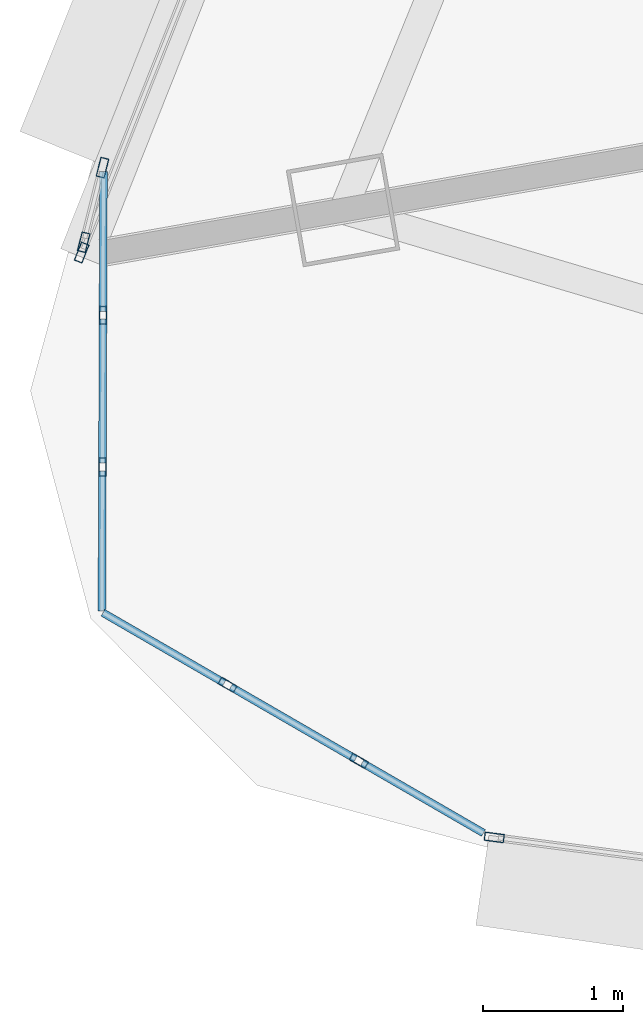
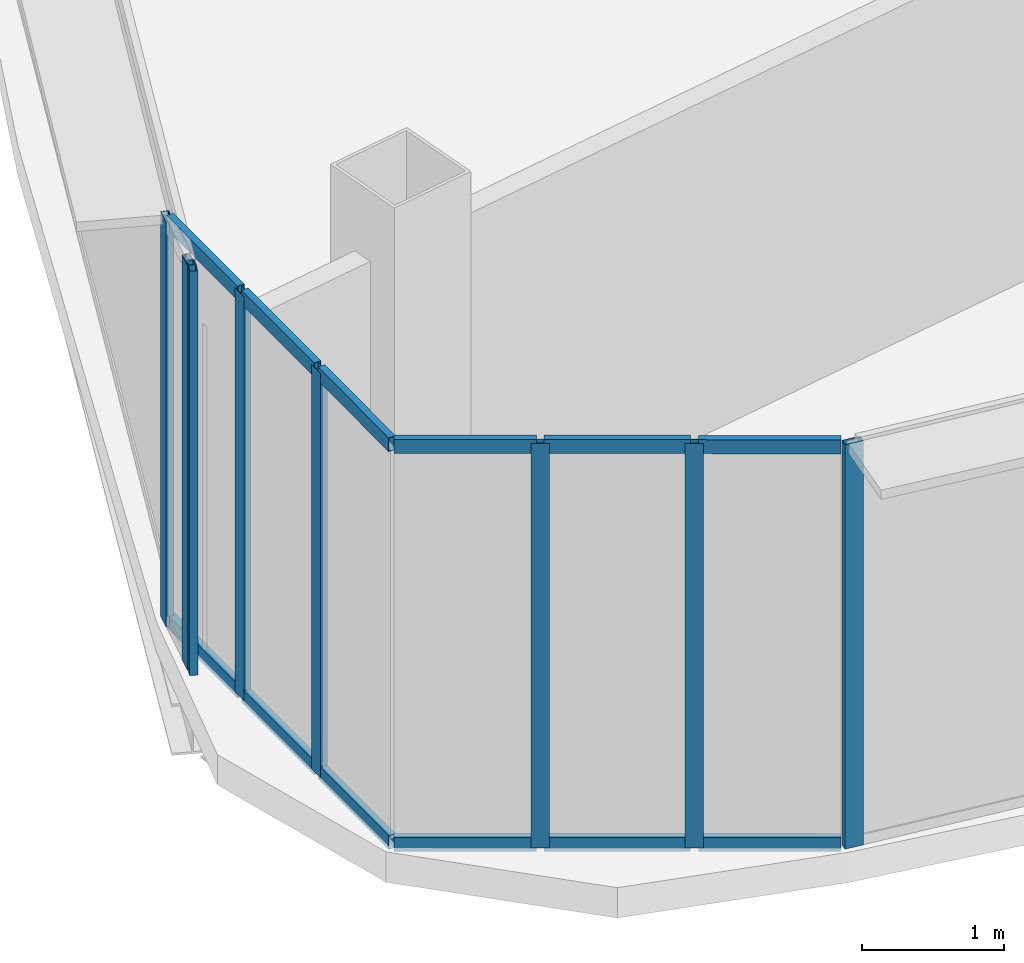
# One storey, part 2 of 29: 20 members, 5 elements without a shape of their own.
"""IFC4 building model written with IfcOpenShell, lengths in metres."""

import ifcopenshell
import ifcopenshell.guid

model = None  # the IFC model being written
_history = None  # IfcOwnerHistory: only IFC2X3 demands one
_inside = {}  # id of a spatial element -> (the spatial element, [elements in it])
_under = {}  # id of a project, library or spatial element -> (it, [spatial elements below it])
_declared = {}  # id of a project -> (the project, [libraries it declares])
_typed = {}  # id of a type object -> (the type object, [elements of that type])
_made_of = {}  # id of a material, layer set ... -> (it, [elements and type objects made of it])


def new_model(schema):
    """Start an empty IFC model of exactly this schema.

    Asked for "IFC4X3", IfcOpenShell would pick the latest addendum, in which some entities
    have other attributes; the version numbers below select the first issue.
    IFC2X3 requires an IfcOwnerHistory on every rooted entity: one is made here for all.
    """
    global model, _history
    if schema == "IFC4X3":
        model = ifcopenshell.file(schema_version=(4, 3, 0, 0))
    else:
        model = ifcopenshell.file(schema=schema)
    _inside.clear()
    _under.clear()
    _declared.clear()
    _typed.clear()
    _made_of.clear()
    _history = None
    if model.schema == "IFC2X3":
        org = make("IfcOrganization", Name="unknown")
        user = make(
            "IfcPersonAndOrganization",
            ThePerson=make("IfcPerson", FamilyName="unknown"),
            TheOrganization=org,
        )
        app = make(
            "IfcApplication",
            ApplicationDeveloper=org,
            Version="unknown",
            ApplicationFullName="unknown",
            ApplicationIdentifier="unknown",
        )
        _history = make(
            "IfcOwnerHistory",
            OwningUser=user,
            OwningApplication=app,
            ChangeAction="ADDED",
            CreationDate=0,
        )
    return model


def make(cls, **values):
    """One entity of the class cls with the attributes given. An attribute that is None is left unset."""
    return model.create_entity(
        cls, **{name: value for name, value in values.items() if value is not None}
    )


def rooted(cls, **values):
    """An entity with a GlobalId (a new one), such as an element, a storey or a relation."""
    return make(cls, GlobalId=ifcopenshell.guid.new(), OwnerHistory=_history, **values)


def si_unit(unit_type, name, prefix=None):
    """IfcSIUnit, for example si_unit("LENGTHUNIT", "METRE", prefix="MILLI")."""
    return make("IfcSIUnit", UnitType=unit_type, Prefix=prefix, Name=name)


def assignment(units):
    """IfcUnitAssignment: the units of a project."""
    return None if units is None else make("IfcUnitAssignment", Units=units)


def point(xyz):
    """IfcCartesianPoint."""
    return None if xyz is None else make("IfcCartesianPoint", Coordinates=xyz)


def direction(xyz):
    """IfcDirection."""
    return None if xyz is None else make("IfcDirection", DirectionRatios=xyz)


def frame(location, z_axis=None, x_axis=None):
    """IfcAxis2Placement3D, a coordinate frame: its origin and axes. An axis left out is left unset."""
    return make(
        "IfcAxis2Placement3D",
        Location=point(location),
        Axis=direction(z_axis),
        RefDirection=direction(x_axis),
    )


def frame_2d(location, x_axis=None):
    """IfcAxis2Placement2D, a coordinate frame in the plane: its origin and x axis."""
    return make(
        "IfcAxis2Placement2D", Location=point(location), RefDirection=direction(x_axis)
    )


def origin():
    """The frame at (0, 0, 0) with its axes left unset."""
    return frame((0.0, 0.0, 0.0))


def origin_2d():
    """The frame at (0, 0) in the plane with its x axis left unset."""
    return frame_2d((0.0, 0.0))


def place(relative_to, where):
    """IfcLocalPlacement: puts the frame where relative to a parent placement (None: the world)."""
    return make(
        "IfcLocalPlacement", PlacementRelTo=relative_to, RelativePlacement=where
    )


def context(
    kind, dimensions, precision=None, world=None, true_north=None, identifier=None
):
    """IfcGeometricRepresentationContext, for example the 3D "Model" context."""
    return make(
        "IfcGeometricRepresentationContext",
        ContextIdentifier=identifier,
        ContextType=kind,
        CoordinateSpaceDimension=dimensions,
        Precision=precision,
        WorldCoordinateSystem=world,
        TrueNorth=true_north,
    )


def subcontext(parent, identifier, kind, view, scale=None):
    """IfcGeometricRepresentationSubContext, for example "Body" below "Model"."""
    return make(
        "IfcGeometricRepresentationSubContext",
        ContextIdentifier=identifier,
        ContextType=kind,
        ParentContext=parent,
        TargetScale=scale,
        TargetView=view,
    )


def project(units=None, contexts=None):
    """IfcProject with its units and contexts."""
    return rooted(
        "IfcProject",
        Name="project",
        RepresentationContexts=contexts,
        UnitsInContext=assignment(units),
    )


def spatial(cls, under=None, at=None, **own):
    """A site, building, storey or space (cls), placed at a placement, below another one or the project."""
    s = rooted(cls, ObjectPlacement=at, **own)
    if under is not None:
        _under.setdefault(under.id(), (under, []))[1].append(s)
    return s


def profile(cls, at=None, kind="AREA", **sizes):
    """A parametric profile (cls). Its sizes go by their IFC names, for example OverallWidth=200.0."""
    return make(cls, ProfileType=kind, Position=at, **sizes)


def hollow_rectangle(**sizes):
    """IfcRectangleHollowProfileDef."""
    return profile("IfcRectangleHollowProfileDef", **sizes)


def extrude(swept, where, along, depth):
    """IfcExtrudedAreaSolid: the profile swept, set in the frame where, extruded along a direction by depth."""
    return make(
        "IfcExtrudedAreaSolid",
        SweptArea=swept,
        Position=where,
        ExtrudedDirection=direction(along),
        Depth=depth,
    )


def shape(context_of_items, identifier, shape_type, items):
    """IfcShapeRepresentation: the items that make up one representation, for example the "Body"."""
    return make(
        "IfcShapeRepresentation",
        ContextOfItems=context_of_items,
        RepresentationIdentifier=identifier,
        RepresentationType=shape_type,
        Items=items,
    )


def source(mapping_origin, context_of_items, identifier, shape_type, items):
    """IfcRepresentationMap: a shape defined once, which mapped items show again and again."""
    return make(
        "IfcRepresentationMap",
        MappingOrigin=mapping_origin,
        MappedRepresentation=shape(context_of_items, identifier, shape_type, items),
    )


def transform(
    local_origin,
    x_axis=None,
    y_axis=None,
    z_axis=None,
    scale=None,
    scale2=None,
    scale3=None,
    uniform=True,
):
    """IfcCartesianTransformationOperator3D, or its non-uniform kind. x_axis, y_axis, z_axis: its Axis1, 2, 3."""
    if uniform:
        return make(
            "IfcCartesianTransformationOperator3D",
            Axis1=direction(x_axis),
            Axis2=direction(y_axis),
            LocalOrigin=point(local_origin),
            Scale=scale,
            Axis3=direction(z_axis),
        )
    return make(
        "IfcCartesianTransformationOperator3DnonUniform",
        Axis1=direction(x_axis),
        Axis2=direction(y_axis),
        LocalOrigin=point(local_origin),
        Scale=scale,
        Axis3=direction(z_axis),
        Scale2=scale2,
        Scale3=scale3,
    )


def mapped(mapping_source, mapping_target):
    """IfcMappedItem: shows the shape of a source again, moved by a transform."""
    return make(
        "IfcMappedItem", MappingSource=mapping_source, MappingTarget=mapping_target
    )


def material(Name=None, Category=None):
    """IfcMaterial."""
    return make("IfcMaterial", Name=Name, Category=Category)


def layer(
    of_material, thickness, ventilated=None, Name=None, Category=None, Priority=None
):
    """IfcMaterialLayer: one layer of a wall or slab, of a material (None: an air gap)."""
    return make(
        "IfcMaterialLayer",
        Material=of_material,
        LayerThickness=thickness,
        IsVentilated=ventilated,
        Name=Name,
        Category=Category,
        Priority=Priority,
    )


def layer_set(layers, Name=None):
    """IfcMaterialLayerSet."""
    return make("IfcMaterialLayerSet", MaterialLayers=layers, LayerSetName=Name)


def material_profile(
    of_material, cross_section, Name=None, Category=None, Priority=None
):
    """IfcMaterialProfile: a cross section and its material."""
    return make(
        "IfcMaterialProfile",
        Name=Name,
        Material=of_material,
        Profile=cross_section,
        Priority=Priority,
        Category=Category,
    )


def profile_set(profiles, Name=None, composite=None):
    """IfcMaterialProfileSet."""
    return make(
        "IfcMaterialProfileSet",
        Name=Name,
        MaterialProfiles=profiles,
        CompositeProfile=composite,
    )


def made_of(thing, what):
    """Note that an element or type object is made of a material, layer set ...; save() writes the relation."""
    if what is not None:
        _made_of.setdefault(what.id(), (what, []))[1].append(thing)
    return thing


def type_object(cls, material=None, **own):
    """A type object (cls), such as IfcWallType, which elements share."""
    return made_of(rooted(cls, **own), material)


def element(
    cls,
    number,
    at=None,
    inside=None,
    cuts=None,
    type_object=None,
    material=None,
    context=None,
    identifier="Body",
    shape_type=None,
    held_by="IfcProductDefinitionShape",
    body=None,
    shapes=None,
    **own,
):
    """One element of the class cls, such as IfcWall. Its Tag is "e" and its number.

    at: its placement. inside: the storey or other place that contains it. cuts: it is an
    opening in that element (IfcRelVoidsElement). A single representation is given by context,
    identifier, shape_type and body (its items); several are given by shapes. held_by: the class
    of the entity that holds the representations. save() writes the other relations.
    """
    e = rooted(cls, Tag="e%d" % number, ObjectPlacement=at, **own)
    if body is not None:
        shapes = [shape(context, identifier, shape_type, body)]
    if shapes is not None:
        e.Representation = make(held_by, Representations=shapes)
    if inside is not None:
        _inside.setdefault(inside.id(), (inside, []))[1].append(e)
    if cuts is not None:
        rooted(
            "IfcRelVoidsElement", RelatingBuildingElement=cuts, RelatedOpeningElement=e
        )
    if type_object is not None:
        _typed.setdefault(type_object.id(), (type_object, []))[1].append(e)
    return made_of(e, material)


def aggregate(whole, parts):
    """IfcRelAggregates: a whole, such as a stair, and the parts it consists of."""
    return rooted("IfcRelAggregates", RelatingObject=whole, RelatedObjects=parts)


def save(model, path):
    """Write the relations noted so far, then the file.

    IfcRelAggregates (storeys below a building ...), IfcRelContainedInSpatialStructure (elements
    in a storey), IfcRelDefinesByType, IfcRelAssociatesMaterial and IfcRelDeclares: one each for
    every whole, place, type object, material and project.
    """
    for whole, parts in _under.values():
        aggregate(whole, parts)
    for where, things in _inside.values():
        rooted(
            "IfcRelContainedInSpatialStructure",
            RelatedElements=things,
            RelatingStructure=where,
        )
    for kind, things in _typed.values():
        rooted("IfcRelDefinesByType", RelatedObjects=things, RelatingType=kind)
    for what, things in _made_of.values():
        rooted("IfcRelAssociatesMaterial", RelatedObjects=things, RelatingMaterial=what)
    for by, libraries in _declared.values():
        rooted("IfcRelDeclares", RelatingContext=by, RelatedDefinitions=libraries)
    model.write(path)


model = new_model("IFC4")

# Units and contexts
model_context = context("Model", 3, precision=1e-05, world=origin(), true_north=direction((0.0, 1.0)))
body_context = subcontext(model_context, "Body", "Model", "MODEL_VIEW")
ifc_project = project(units=[si_unit("LENGTHUNIT", "METRE"), si_unit("AREAUNIT", "SQUARE_METRE"), si_unit("VOLUMEUNIT", "CUBIC_METRE"), si_unit("PLANEANGLEUNIT", "RADIAN"), si_unit("MASSUNIT", "GRAM", prefix="KILO"), si_unit("THERMODYNAMICTEMPERATUREUNIT", "KELVIN"), si_unit("POWERUNIT", "WATT")], contexts=[model_context])

# Site, building, storey
site_placement = place(None, origin())
site = spatial("IfcSite", under=ifc_project, at=site_placement, CompositionType="ELEMENT")
building_placement = place(site_placement, origin())
building = spatial("IfcBuilding", under=site, at=building_placement, Name="Yunzhuo Pagoda Commons", CompositionType="ELEMENT")
storey_placement = place(building_placement, frame((0.0, 0.0, 363.010009765625)))
storey = spatial("IfcBuildingStorey", under=building, at=storey_placement, Name="L91", CompositionType="ELEMENT", Elevation=363.010009765625)

# Curtain wall, member
ifc_material = material(Name="Anodized aluminium 6063-T6", Category="aluminium")
ifc_layer_1 = layer(ifc_material, 0.139892578125)
ifc_layer_set_1 = layer_set([ifc_layer_1], Name="Anodized aluminium 6063-T6")
curtain_wall_type_1 = type_object("IfcCurtainWallType", Name="CW-HI High-Zone Ribbon Curtain Wall", PredefinedType="NOTDEFINED", material=ifc_layer_set_1)
curtain_wall_1_placement = place(storey_placement, origin())
curtain_wall_1 = element("IfcCurtainWall", 1, at=curtain_wall_1_placement, inside=storey, type_object=curtain_wall_type_1, Name="L91 curtain wall CW-L91-F1B1", PredefinedType="NOTDEFINED")
ifc_material_profile_1 = material_profile(ifc_material, hollow_rectangle(XDim=0.06005859375, YDim=0.139892578125, WallThickness=0.00341796875, at=origin_2d()), Name="Anodized aluminium 6063-T6")
ifc_profile_set_1 = profile_set([ifc_material_profile_1], Name="Anodized aluminium 6063-T6")
member_type_1 = type_object("IfcMemberType", Name="CW-HI-M Mullion RHS 140x60x3.5", PredefinedType="MULLION", material=ifc_profile_set_1)
shared_shape_1 = source(origin(), body_context, "Body", "SweptSolid", [
    extrude(hollow_rectangle(XDim=0.06005859375, YDim=0.139892578125, WallThickness=0.00341796875, at=origin_2d()), origin(), (0.0, 0.0, 1.0), 3.47021484375),
])
member_1_placement = place(storey_placement, frame((24.6103515625, 24.903076171875, 0.0), z_axis=(0.0, 0.0, 1.0), x_axis=(0.130505551679, 0.991447578534, 0.0)))
member_1 = element("IfcMember", 2, at=member_1_placement, type_object=member_type_1, Name="CW mullion 1", PredefinedType="MULLION", context=body_context, shape_type="MappedRepresentation", body=[
    mapped(shared_shape_1, transform((0.0, 0.0, 0.0), scale=1.0)),
])
aggregate(curtain_wall_1, [member_1])

curtain_wall_2_placement = place(storey_placement, origin())
curtain_wall_2 = element("IfcCurtainWall", 3, at=curtain_wall_2_placement, inside=storey, type_object=curtain_wall_type_1, Name="L91 curtain wall CW-L91-F3B4", PredefinedType="NOTDEFINED")
member_2_placement = place(storey_placement, frame((21.66259765625, 29.081787109375, 0.0), z_axis=(0.0, 0.0, 1.0), x_axis=(0.929441197274, -0.368970270902, 0.0)))
member_2 = element("IfcMember", 4, at=member_2_placement, type_object=member_type_1, Name="CW mullion 2", PredefinedType="MULLION", context=body_context, shape_type="MappedRepresentation", body=[
    mapped(shared_shape_1, transform((0.0, 0.0, 0.0), scale=1.0)),
])
aggregate(curtain_wall_2, [member_2])

# Curtain wall, members
curtain_wall_3_placement = place(storey_placement, origin())
curtain_wall_3 = element("IfcCurtainWall", 5, at=curtain_wall_3_placement, inside=storey, type_object=curtain_wall_type_1, Name="L91 curtain wall CW-L91-F3B5", PredefinedType="NOTDEFINED")
member_3_placement = place(storey_placement, frame((21.677001953125, 29.15576171875, 0.0), z_axis=(0.0, 0.0, 1.0), x_axis=(-0.969716189017, 0.244234544564, 0.0)))
member_3 = element("IfcMember", 6, at=member_3_placement, type_object=member_type_1, Name="CW mullion 1", PredefinedType="MULLION", context=body_context, shape_type="MappedRepresentation", body=[
    mapped(shared_shape_1, transform((0.0, 0.0, 0.0), scale=1.0)),
])
member_4_placement = place(storey_placement, frame((21.811279296875, 29.6884765625, 0.0), z_axis=(0.0, 0.0, 1.0), x_axis=(-0.969716189017, 0.244234544564, 0.0)))
member_4 = element("IfcMember", 7, at=member_4_placement, type_object=member_type_1, Name="CW mullion 2", PredefinedType="MULLION", context=body_context, shape_type="MappedRepresentation", body=[
    mapped(shared_shape_1, transform((0.0, 0.0, 0.0), scale=1.0)),
])
aggregate(curtain_wall_3, [member_3, member_4])

ifc_layer_2 = layer(ifc_material, 0.1298828125)
ifc_layer_set_2 = layer_set([ifc_layer_2], Name="Anodized aluminium 6063-T6")
curtain_wall_type_2 = type_object("IfcCurtainWallType", Name="CW-VTX Rounded Corner Curtain Wall", PredefinedType="NOTDEFINED", material=ifc_layer_set_2)
curtain_wall_4_placement = place(storey_placement, origin())
curtain_wall_4 = element("IfcCurtainWall", 8, at=curtain_wall_4_placement, inside=storey, type_object=curtain_wall_type_2, Name="L91 curtain wall CW-L91-VTX1S1", PredefinedType="NOTDEFINED")
ifc_material_profile_2 = material_profile(ifc_material, hollow_rectangle(XDim=0.054931640625, YDim=0.1298828125, WallThickness=0.00341796875, at=origin_2d()), Name="Anodized aluminium 6063-T6")
ifc_profile_set_2 = profile_set([ifc_material_profile_2], Name="Anodized aluminium 6063-T6")
member_type_2 = type_object("IfcMemberType", Name="CW-VTX-M Mullion RHS 130x55x3.5", PredefinedType="MULLION", material=ifc_profile_set_2)
shared_shape_2 = source(origin(), body_context, "Body", "SweptSolid", [
    extrude(hollow_rectangle(XDim=0.054931640625, YDim=0.1298828125, WallThickness=0.00341796875, at=origin_2d()), origin(), (0.0, 0.0, 1.0), 3.47021484375),
])
member_5_placement = place(storey_placement, frame((21.814697265625, 28.6337890625, 0.0), z_axis=(0.0, 0.0, 1.0), x_axis=(0.999993524845, -0.003598647958, 0.0)))
member_5 = element("IfcMember", 9, at=member_5_placement, type_object=member_type_2, Name="CW mullion 2", PredefinedType="MULLION", context=body_context, shape_type="MappedRepresentation", body=[
    mapped(shared_shape_2, transform((0.0, 0.0, 0.0), scale=1.0)),
])
member_6_placement = place(storey_placement, frame((21.810791015625, 27.550048828125, 0.0), z_axis=(0.0, 0.0, 1.0), x_axis=(0.999993524845, -0.003598647958, 0.0)))
member_6 = element("IfcMember", 10, at=member_6_placement, type_object=member_type_2, Name="CW mullion 3", PredefinedType="MULLION", context=body_context, shape_type="MappedRepresentation", body=[
    mapped(shared_shape_2, transform((0.0, 0.0, 0.0), scale=1.0)),
])

curtain_wall_5_placement = place(storey_placement, origin())
curtain_wall_5 = element("IfcCurtainWall", 11, at=curtain_wall_5_placement, inside=storey, type_object=curtain_wall_type_2, Name="L91 curtain wall CW-L91-VTX1S2", PredefinedType="NOTDEFINED")
member_7_placement = place(storey_placement, frame((22.704833984375, 25.992919921875, 0.0), z_axis=(0.0, 0.0, 1.0), x_axis=(0.501016871191, 0.865437516394, 0.0)))
member_7 = element("IfcMember", 12, at=member_7_placement, type_object=member_type_2, Name="CW mullion 2", PredefinedType="MULLION", context=body_context, shape_type="MappedRepresentation", body=[
    mapped(shared_shape_2, transform((0.0, 0.0, 0.0), scale=1.0)),
])
member_8_placement = place(storey_placement, frame((23.642578125, 25.449951171875, 0.0), z_axis=(0.0, 0.0, 1.0), x_axis=(0.501016871191, 0.865437516394, 0.0)))
member_8 = element("IfcMember", 13, at=member_8_placement, type_object=member_type_2, Name="CW mullion 3", PredefinedType="MULLION", context=body_context, shape_type="MappedRepresentation", body=[
    mapped(shared_shape_2, transform((0.0, 0.0, 0.0), scale=1.0)),
])

# Member
ifc_material_profile_3 = material_profile(ifc_material, hollow_rectangle(XDim=0.054931640625, YDim=0.1201171875, WallThickness=0.00341796875, at=origin_2d()), Name="Anodized aluminium 6063-T6")
ifc_profile_set_3 = profile_set([ifc_material_profile_3], Name="Anodized aluminium 6063-T6")
member_type_3 = type_object("IfcMemberType", Name="CW-VTX-T Transom RHS 120x55x3.5", PredefinedType="USERDEFINED", material=ifc_profile_set_3)
shared_shape_3 = source(origin(), body_context, "Body", "SweptSolid", [
    extrude(hollow_rectangle(XDim=0.054931640625, YDim=0.1201171875, WallThickness=0.00341796875, at=origin_2d()), origin(), (0.0, 0.0, 1.0), 1.001220703125),
])
member_9_placement = place(storey_placement, frame((21.818359375, 29.66259765625, 0.027587890625), z_axis=(-0.003657620011, -0.999993310886, 0.0), x_axis=(0.999993310886, -0.003657620011, 0.0)))
member_9 = element("IfcMember", 14, at=member_9_placement, type_object=member_type_3, Name="CW transom 1.1", ObjectType="TRANSOM", PredefinedType="USERDEFINED", context=body_context, shape_type="MappedRepresentation", body=[
    mapped(shared_shape_3, transform((0.0, 0.0, 0.0), scale=1.0)),
])

member_10_placement = place(storey_placement, frame((21.818359375, 29.66259765625, 3.4423828125), z_axis=(-0.003657620011, -0.999993310886, 0.0), x_axis=(0.999993310886, -0.003657620011, 0.0)))
member_10 = element("IfcMember", 15, at=member_10_placement, type_object=member_type_3, Name="CW transom 1.2", ObjectType="TRANSOM", PredefinedType="USERDEFINED", context=body_context, shape_type="MappedRepresentation", body=[
    mapped(shared_shape_3, transform((0.0, 0.0, 0.0), scale=1.0)),
])

member_11_placement = place(storey_placement, frame((21.810546875, 27.5224609375, 0.027587890625), z_axis=(-0.003657620011, -0.999993310886, 0.0), x_axis=(0.999993310886, -0.003657620011, 0.0)))
member_11 = element("IfcMember", 16, at=member_11_placement, type_object=member_type_3, Name="CW transom 3.1", ObjectType="TRANSOM", PredefinedType="USERDEFINED", context=body_context, shape_type="MappedRepresentation", body=[
    mapped(shared_shape_3, transform((0.0, 0.0, 0.0), scale=1.0)),
])

member_12_placement = place(storey_placement, frame((21.810546875, 27.5224609375, 3.4423828125), z_axis=(-0.003657620011, -0.999993310886, 0.0), x_axis=(0.999993310886, -0.003657620011, 0.0)))
member_12 = element("IfcMember", 17, at=member_12_placement, type_object=member_type_3, Name="CW transom 3.2", ObjectType="TRANSOM", PredefinedType="USERDEFINED", context=body_context, shape_type="MappedRepresentation", body=[
    mapped(shared_shape_3, transform((0.0, 0.0, 0.0), scale=1.0)),
])

member_13_placement = place(storey_placement, frame((21.814453125, 26.50830078125, 0.027587890625), z_axis=(0.865392894497, -0.501093941446, 0.0), x_axis=(0.501093941446, 0.865392894497, 0.0)))
member_13 = element("IfcMember", 18, at=member_13_placement, type_object=member_type_3, Name="CW transom 1.1", ObjectType="TRANSOM", PredefinedType="USERDEFINED", context=body_context, shape_type="MappedRepresentation", body=[
    mapped(shared_shape_3, transform((0.0, 0.0, 0.0), scale=1.0)),
])

member_14_placement = place(storey_placement, frame((21.814453125, 26.50830078125, 3.4423828125), z_axis=(0.865392894497, -0.501093941446, 0.0), x_axis=(0.501093941446, 0.865392894497, 0.0)))
member_14 = element("IfcMember", 19, at=member_14_placement, type_object=member_type_3, Name="CW transom 1.2", ObjectType="TRANSOM", PredefinedType="USERDEFINED", context=body_context, shape_type="MappedRepresentation", body=[
    mapped(shared_shape_3, transform((0.0, 0.0, 0.0), scale=1.0)),
])

member_15_placement = place(storey_placement, frame((23.66650390625, 25.43603515625, 0.027587890625), z_axis=(0.865498628265, -0.500911294014, 0.0), x_axis=(0.500911294014, 0.865498628265, 0.0)))
member_15 = element("IfcMember", 20, at=member_15_placement, type_object=member_type_3, Name="CW transom 3.1", ObjectType="TRANSOM", PredefinedType="USERDEFINED", context=body_context, shape_type="MappedRepresentation", body=[
    mapped(shared_shape_3, transform((0.0, 0.0, 0.0), scale=1.0)),
])

member_16_placement = place(storey_placement, frame((23.66650390625, 25.43603515625, 3.4423828125), z_axis=(0.865498628265, -0.500911294014, 0.0), x_axis=(0.500911294014, 0.865498628265, 0.0)))
member_16 = element("IfcMember", 21, at=member_16_placement, type_object=member_type_3, Name="CW transom 3.2", ObjectType="TRANSOM", PredefinedType="USERDEFINED", context=body_context, shape_type="MappedRepresentation", body=[
    mapped(shared_shape_3, transform((0.0, 0.0, 0.0), scale=1.0)),
])

shared_shape_4 = source(origin(), body_context, "Body", "SweptSolid", [
    extrude(hollow_rectangle(XDim=0.054931640625, YDim=0.1201171875, WallThickness=0.00341796875, at=origin_2d()), origin(), (0.0, 0.0, 1.0), 1.028564453125),
])
member_17_placement = place(storey_placement, frame((21.814453125, 28.606201171875, 0.027587890625), z_axis=(-0.003560385694, -0.999993661807, 0.0), x_axis=(0.999993661807, -0.003560385694, 0.0)))
member_17 = element("IfcMember", 22, at=member_17_placement, type_object=member_type_3, Name="CW transom 2.1", ObjectType="TRANSOM", PredefinedType="USERDEFINED", context=body_context, shape_type="MappedRepresentation", body=[
    mapped(shared_shape_4, transform((0.0, 0.0, 0.0), scale=1.0)),
])

member_18_placement = place(storey_placement, frame((21.814453125, 28.606201171875, 3.4423828125), z_axis=(-0.003560385694, -0.999993661807, 0.0), x_axis=(0.999993661807, -0.003560385694, 0.0)))
member_18 = element("IfcMember", 23, at=member_18_placement, type_object=member_type_3, Name="CW transom 2.2", ObjectType="TRANSOM", PredefinedType="USERDEFINED", context=body_context, shape_type="MappedRepresentation", body=[
    mapped(shared_shape_4, transform((0.0, 0.0, 0.0), scale=1.0)),
])

aggregate(curtain_wall_4, [member_5, member_6, member_9, member_10, member_17, member_18, member_11, member_12])

shared_shape_5 = source(origin(), body_context, "Body", "SweptSolid", [
    extrude(hollow_rectangle(XDim=0.054931640625, YDim=0.1201171875, WallThickness=0.00341796875, at=origin_2d()), origin(), (0.0, 0.0, 1.0), 1.029052734375),
])
member_19_placement = place(storey_placement, frame((22.728515625, 25.97900390625, 0.027587890625), z_axis=(0.865529146091, -0.500858560142, 0.0), x_axis=(0.500858560142, 0.865529146091, 0.0)))
member_19 = element("IfcMember", 24, at=member_19_placement, type_object=member_type_3, Name="CW transom 2.1", ObjectType="TRANSOM", PredefinedType="USERDEFINED", context=body_context, shape_type="MappedRepresentation", body=[
    mapped(shared_shape_5, transform((0.0, 0.0, 0.0), scale=1.0)),
])

member_20_placement = place(storey_placement, frame((22.728515625, 25.97900390625, 3.4423828125), z_axis=(0.865529146091, -0.500858560142, 0.0), x_axis=(0.500858560142, 0.865529146091, 0.0)))
member_20 = element("IfcMember", 25, at=member_20_placement, type_object=member_type_3, Name="CW transom 2.2", ObjectType="TRANSOM", PredefinedType="USERDEFINED", context=body_context, shape_type="MappedRepresentation", body=[
    mapped(shared_shape_5, transform((0.0, 0.0, 0.0), scale=1.0)),
])

aggregate(curtain_wall_5, [member_7, member_8, member_13, member_14, member_19, member_20, member_15, member_16])

save(model, "model.ifc")
